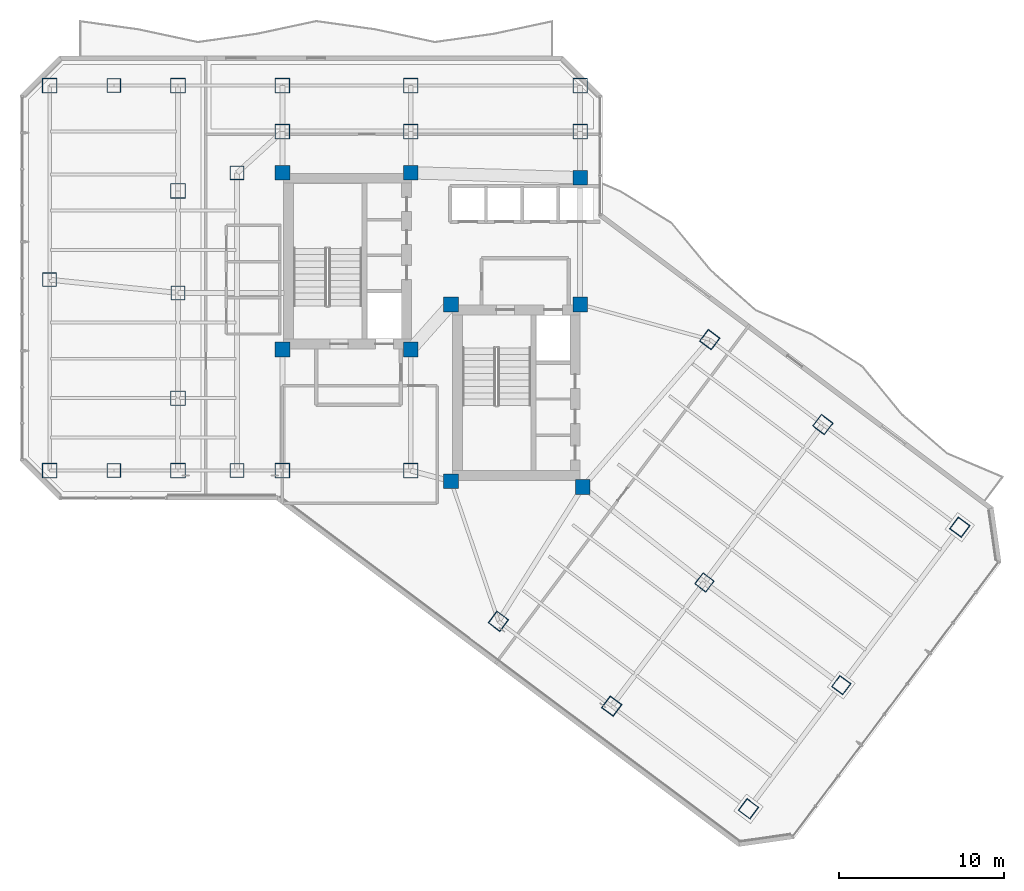
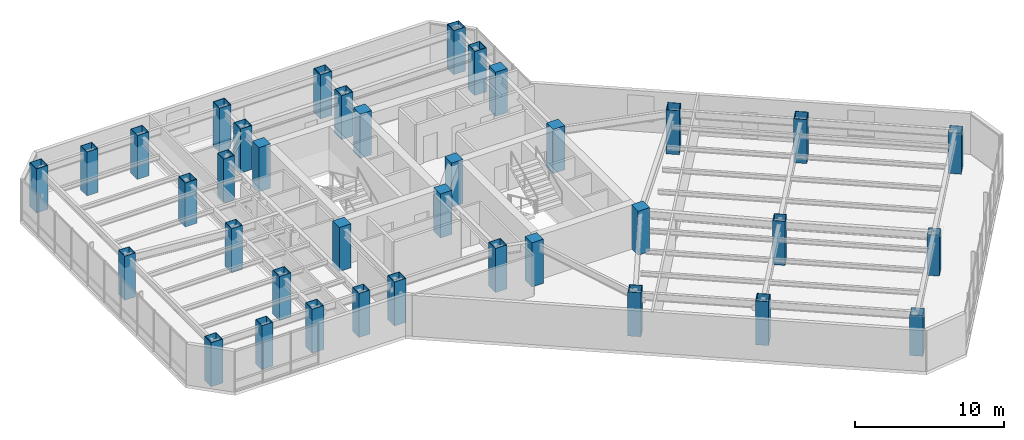
# One storey, part 1 of 29: 37 columns.
"""IFC4 building model written with IfcOpenShell, lengths in metres."""

from ifc_helpers import new_model, si_unit, direction, frame, origin, origin_2d, place, context, subcontext, project, spatial, rectangle, hollow_rectangle, extrude, material, material_profile, profile_set, type_object, element, save


model = new_model("IFC4")

# Units and contexts
model_context = context("Model", 3, precision=1e-05, world=origin(), true_north=direction((0.0, 1.0)))
body_context = subcontext(model_context, "Body", "Model", "MODEL_VIEW")
ifc_project = project(units=[si_unit("LENGTHUNIT", "METRE"), si_unit("AREAUNIT", "SQUARE_METRE"), si_unit("VOLUMEUNIT", "CUBIC_METRE"), si_unit("PLANEANGLEUNIT", "RADIAN"), si_unit("MASSUNIT", "GRAM", prefix="KILO")], contexts=[model_context])

# Site, building, storey
site_placement = place(None, origin())
site = spatial("IfcSite", under=ifc_project, at=site_placement, CompositionType="ELEMENT")
building_placement = place(site_placement, origin())
building = spatial("IfcBuilding", under=site, at=building_placement, Name="Hatsunagi Terrace Concourse", CompositionType="ELEMENT")
storey_placement = place(building_placement, frame((0.0, 0.0, 126.449951171875)))
storey = spatial("IfcBuildingStorey", under=building, at=storey_placement, Name="L33", CompositionType="ELEMENT", Elevation=126.449951171875)

# Columns
ifc_material_1 = material(Name="Concrete Fc48", Category="concrete")
ifc_material_profile_1 = material_profile(ifc_material_1, rectangle(XDim=0.89990234375, YDim=0.89990234375, at=origin_2d()), Name="RC-900x900")
ifc_profile_set_1 = profile_set([ifc_material_profile_1], Name="Concrete Fc48")
column_type_1 = type_object("IfcColumnType", Name="CoreColumn_RC_900x900", PredefinedType="COLUMN", material=ifc_profile_set_1)
for number, where, z_axis, x_axis, name in (
    (1, (25.550048828125, 32.550048828125, 0.0), (0.0, 0.0, 1.0), (1.0, 0.0, 0.0), "Column C-02 L33-CASW"),
    (2, (33.35009765625, 32.550048828125, 0.0), (0.0, 0.0, 1.0), (1.0, 0.0, 0.0), "Column C-02 L33-CASE"),
    (3, (25.550048828125, 43.300048828125, 0.0), (0.0, 0.0, 1.0), (1.0, 0.0, 0.0), "Column C-02 L33-CANW"),
    (4, (33.35009765625, 43.300048828125, 0.0), (0.0, 0.0, 1.0), (1.0, 0.0, 0.0), "Column C-02 L33-CANE"),
    (5, (35.800048828125, 24.550048828125, 0.0), (0.0, 0.0, 1.0), (1.0, 0.0, 0.0), "Column C-02 L33-CBSW"),
    (6, (43.800048828125, 24.199951171875, 0.0), (0.0, 0.0, 1.0), (1.0, 0.0, 0.0), "Column C-02 L33-CBSE"),
    (7, (35.800048828125, 35.300048828125, 0.0), (0.0, 0.0, 1.0), (1.0, 0.0, 0.0), "Column C-02 L33-CBNW"),
    (8, (43.64990234375, 35.300048828125, 0.0), (0.0, 0.0, 1.0), (1.0, 0.0, 0.0), "Column C-02 L33-CBNE"),
    (9, (43.64990234375, 43.0, 0.0), (0.0, 0.0, 1.0), (1.0, 0.0, 0.0), "Column C-02 L33-K3"),
):
    element("IfcColumn", number, at=place(storey_placement, frame(where, z_axis=z_axis, x_axis=x_axis)), inside=storey, type_object=column_type_1, Name=name, PredefinedType="COLUMN", context=body_context, shape_type="SweptSolid", body=[
        extrude(rectangle(XDim=0.89990234375, YDim=0.89990234375, at=origin_2d()), origin(), (0.0, 0.0, 1.0), 3.60009765625),
    ])
ifc_material_2 = material(Name="Steel BCP325T", Category="steel")
ifc_material_profile_2 = material_profile(ifc_material_2, hollow_rectangle(XDim=0.85009765625, YDim=0.85009765625, WallThickness=0.031982421875, at=origin_2d()), Name="BCP-850x850x32")
ifc_profile_set_2 = profile_set([ifc_material_profile_2], Name="Steel BCP325T")
column_type_2 = type_object("IfcColumnType", Name="TowerBoxColumn_850x850x32", PredefinedType="COLUMN", material=ifc_profile_set_2)
for number, where, z_axis, x_axis, name in (
    (10, (22.800048828125, 25.199951171875, 0.0), (0.0, 0.0, 1.0), (1.0, 0.0, 0.0), "Column C-05 L33-CW1"),
    (11, (22.800048828125, 43.300048828125, 0.0), (0.0, 0.0, 1.0), (1.0, 0.0, 0.0), "Column C-05 L33-CW2"),
    (12, (11.39990234375, 36.800048828125, 0.0), (0.0, 0.0, 1.0), (1.0, 0.0, 0.0), "Column C-05 L33-WT1"),
    (13, (19.199951171875, 36.0, 0.0), (0.0, 0.0, 1.0), (1.0, 0.0, 0.0), "Column C-05 L33-WT2"),
    (14, (15.300048828125, 25.199951171875, 0.0), (0.0, 0.0, 1.0), (1.0, 0.0, 0.0), "Column C-05 L33-WT3"),
    (15, (15.300048828125, 48.60009765625, 0.0), (0.0, 0.0, 1.0), (1.0, 0.0, 0.0), "Column C-05 L33-WT4"),
    (16, (51.199951171875, 18.39990234375, 0.0), (0.0, 0.0, 1.0), (0.799999996291, -0.600000004945, 0.0), "Column C-05 L33-SEM2"),
):
    element("IfcColumn", number, at=place(storey_placement, frame(where, z_axis=z_axis, x_axis=x_axis)), inside=storey, type_object=column_type_2, Name=name, PredefinedType="COLUMN", context=body_context, shape_type="SweptSolid", body=[
        extrude(hollow_rectangle(XDim=0.85009765625, YDim=0.85009765625, WallThickness=0.031982421875, at=origin_2d()), origin(), (0.0, 0.0, 1.0), 3.60009765625),
    ])
column_placement = place(storey_placement, frame((59.52001953125, 12.159912109375, 0.0), z_axis=(0.0, 0.0, 1.0), x_axis=(0.799999996291, -0.600000004945, 0.0)))
element("IfcColumn", 17, at=column_placement, inside=storey, type_object=column_type_2, Name="Column C-05 L33-SEM3", PredefinedType="COLUMN", context=body_context, shape_type="SweptSolid", body=[
    extrude(hollow_rectangle(XDim=0.85009765625, YDim=0.85009765625, WallThickness=0.031982421875, at=origin_2d()), origin(), (0.0, 0.0, 1.0), 3.318115234375),
])
ifc_material_3 = material(Name="Steel BCP325T", Category="steel")
ifc_material_profile_3 = material_profile(ifc_material_3, hollow_rectangle(XDim=0.89990234375, YDim=0.89990234375, WallThickness=0.035888671875, at=origin_2d()), Name="BCP-900x900x36")
ifc_profile_set_3 = profile_set([ifc_material_profile_3], Name="Steel BCP325T")
column_type_3 = type_object("IfcColumnType", Name="TowerBoxColumn_900x900x36", PredefinedType="COLUMN", material=ifc_profile_set_3)
for number, where, z_axis, x_axis, name in (
    (18, (25.550048828125, 25.199951171875, 0.0), (0.0, 0.0, 1.0), (1.0, 0.0, 0.0), "Column C-04 L33-K1"),
    (19, (33.35009765625, 25.199951171875, 0.0), (0.0, 0.0, 1.0), (1.0, 0.0, 0.0), "Column C-04 L33-K2"),
    (20, (25.550048828125, 45.800048828125, 0.0), (0.0, 0.0, 1.0), (1.0, 0.0, 0.0), "Column C-04 L33-CN1"),
    (21, (33.35009765625, 45.800048828125, 0.0), (0.0, 0.0, 1.0), (1.0, 0.0, 0.0), "Column C-04 L33-CN2"),
    (22, (43.64990234375, 45.800048828125, 0.0), (0.0, 0.0, 1.0), (1.0, 0.0, 0.0), "Column C-04 L33-CN3"),
    (23, (11.39990234375, 25.199951171875, 0.0), (0.0, 0.0, 1.0), (1.0, 0.0, 0.0), "Column C-04 L33-WS2"),
    (24, (11.39990234375, 48.60009765625, 0.0), (0.0, 0.0, 1.0), (1.0, 0.0, 0.0), "Column C-04 L33-WN2"),
    (25, (19.199951171875, 48.60009765625, 0.0), (0.0, 0.0, 1.0), (1.0, 0.0, 0.0), "Column C-04 L33-WN3"),
    (26, (25.550048828125, 48.60009765625, 0.0), (0.0, 0.0, 1.0), (1.0, 0.0, 0.0), "Column C-04 L33-WN4"),
    (27, (33.35009765625, 48.60009765625, 0.0), (0.0, 0.0, 1.0), (1.0, 0.0, 0.0), "Column C-04 L33-WN5"),
    (28, (43.64990234375, 48.60009765625, 0.0), (0.0, 0.0, 1.0), (1.0, 0.0, 0.0), "Column C-04 L33-WN6"),
    (29, (19.199951171875, 25.199951171875, 0.0), (0.0, 0.0, 1.0), (1.0, 0.0, 0.0), "Column C-04 L33-WS3"),
    (30, (19.199951171875, 29.60009765625, 0.0), (0.0, 0.0, 1.0), (1.0, 0.0, 0.0), "Column C-04 L33-WR1"),
    (31, (19.199951171875, 42.199951171875, 0.0), (0.0, 0.0, 1.0), (1.0, 0.0, 0.0), "Column C-04 L33-WR2"),
    (32, (38.679931640625, 16.0400390625, 0.0), (0.0, 0.0, 1.0), (0.799999996291, -0.600000004945, 0.0), "Column C-04 L33-SES1"),
    (33, (51.52001953125, 33.159912109375, 0.0), (0.0, 0.0, 1.0), (0.799999996291, -0.600000004945, 0.0), "Column C-04 L33-SEN1"),
    (34, (45.56005859375, 10.8798828125, 0.0), (0.0, 0.0, 1.0), (0.799999996291, -0.600000004945, 0.0), "Column C-04 L33-SES2"),
    (35, (58.39990234375, 28.0, 0.0), (0.0, 0.0, 1.0), (0.799999996291, -0.600000004945, 0.0), "Column C-04 L33-SEN2"),
):
    element("IfcColumn", number, at=place(storey_placement, frame(where, z_axis=z_axis, x_axis=x_axis)), inside=storey, type_object=column_type_3, Name=name, PredefinedType="COLUMN", context=body_context, shape_type="SweptSolid", body=[
        extrude(hollow_rectangle(XDim=0.89990234375, YDim=0.89990234375, WallThickness=0.035888671875, at=origin_2d()), origin(), (0.0, 0.0, 1.0), 3.60009765625),
    ])
for number, where, z_axis, x_axis, name in (
    (36, (53.8798828125, 4.639892578125, 0.0), (0.0, 0.0, 1.0), (0.799999996291, -0.600000004945, 0.0), "Column C-04 L33-SES3"),
    (37, (66.719970703125, 21.760009765625, 0.0), (0.0, 0.0, 1.0), (0.799999996291, -0.600000004945, 0.0), "Column C-04 L33-SEN3"),
):
    element("IfcColumn", number, at=place(storey_placement, frame(where, z_axis=z_axis, x_axis=x_axis)), inside=storey, type_object=column_type_3, Name=name, PredefinedType="COLUMN", context=body_context, shape_type="SweptSolid", body=[
        extrude(hollow_rectangle(XDim=0.89990234375, YDim=0.89990234375, WallThickness=0.035888671875, at=origin_2d()), origin(), (0.0, 0.0, 1.0), 3.318115234375),
    ])

save(model, "model.ifc")
